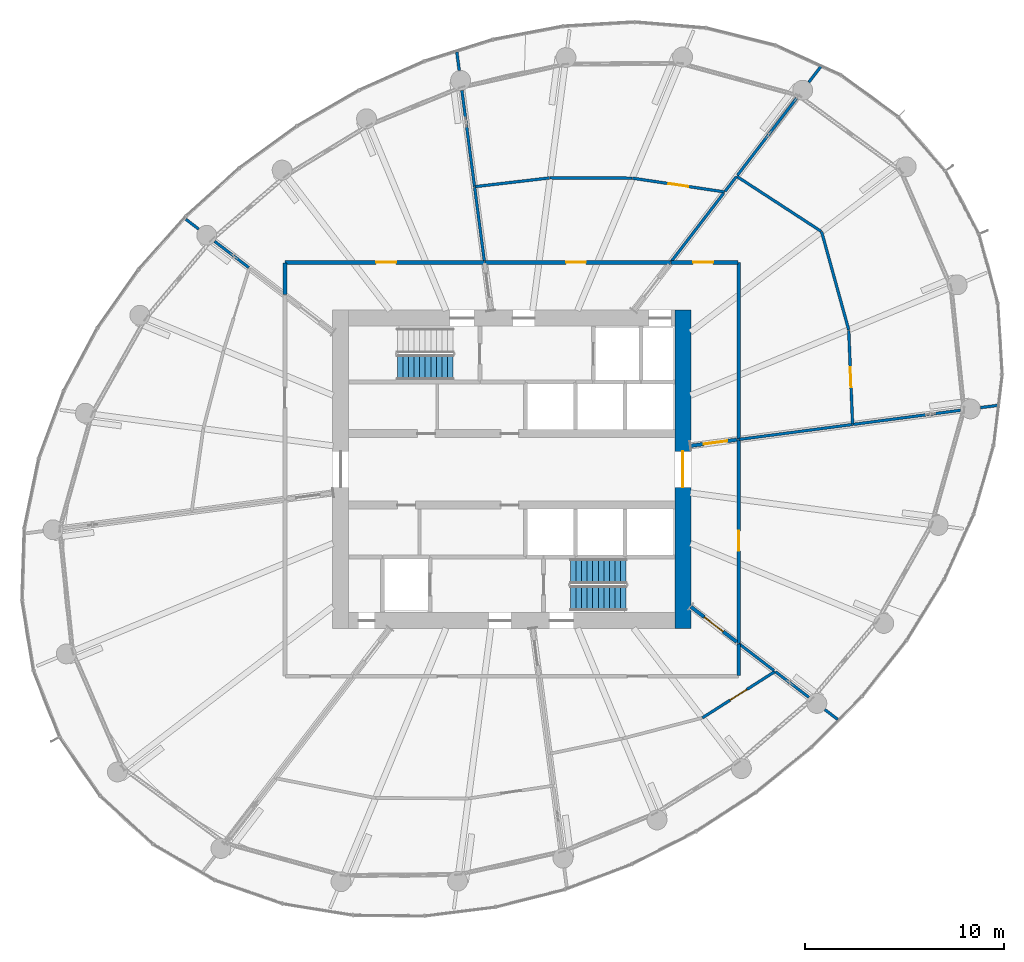
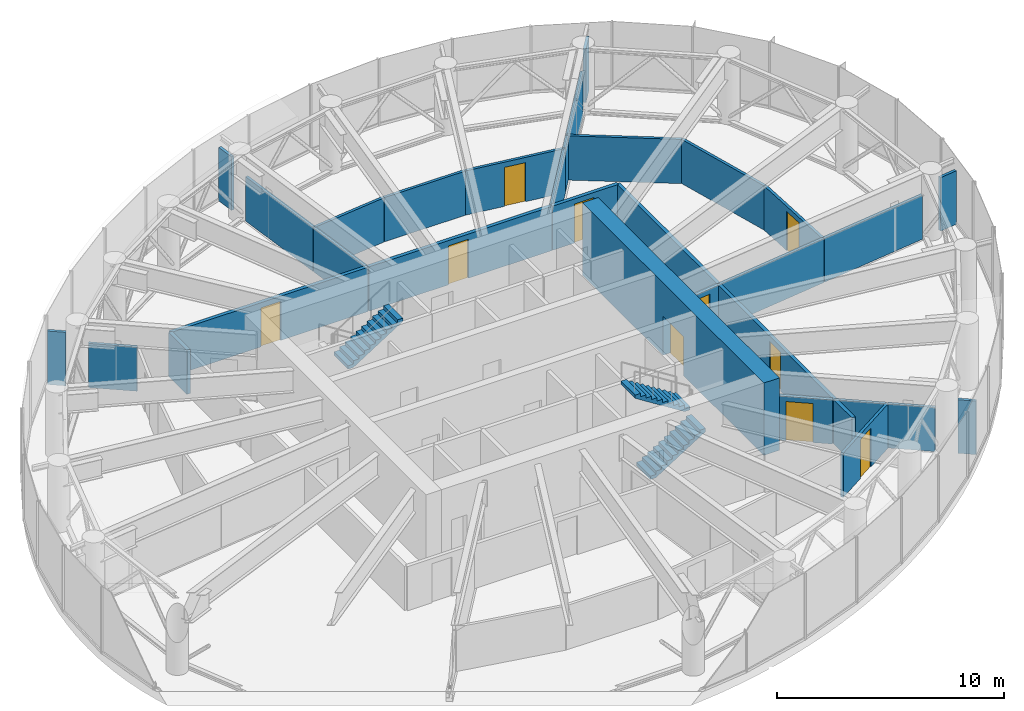
# One storey, part 15 of 25: 32 walls, 10 doors, 3 stair flights, 10 openings, 2 elements without a shape of their own.
"""IFC4 building model written with IfcOpenShell, lengths in metres."""

from ifc_helpers import new_model, si_unit, direction, frame, frame_2d, origin, place, context, subcontext, project, spatial, line, indexed_curve, rectangle, outline, extrude, source, transform, mapped, material, layer, layer_set, type_object, element, fill, aggregate, save


model = new_model("IFC4")

# Units and contexts
model_context = context("Model", 3, precision=1e-05, world=origin(), true_north=direction((0.0, 1.0)))
body_context = subcontext(model_context, "Body", "Model", "MODEL_VIEW")
ifc_project = project(units=[si_unit("LENGTHUNIT", "METRE"), si_unit("AREAUNIT", "SQUARE_METRE"), si_unit("VOLUMEUNIT", "CUBIC_METRE"), si_unit("PLANEANGLEUNIT", "RADIAN"), si_unit("MASSUNIT", "GRAM", prefix="KILO")], contexts=[model_context])

# Site, building, storey
site_placement = place(None, origin())
site = spatial("IfcSite", under=ifc_project, at=site_placement, CompositionType="ELEMENT")
building_placement = place(site_placement, origin())
building = spatial("IfcBuilding", under=site, at=building_placement, Name="Spindrift Exchange Tower", CompositionType="ELEMENT")
storey_placement = place(building_placement, frame((0.0, 0.0, 179.89990234375)))
storey = spatial("IfcBuildingStorey", under=building, at=storey_placement, Name="L43", CompositionType="ELEMENT", Elevation=179.89990234375)

# Wall, opening, door
ifc_material_1 = material(Name="Concrete 65 MPa", Category="concrete")
ifc_layer_1 = layer(ifc_material_1, 0.800048828125)
ifc_layer_set_1 = layer_set([ifc_layer_1], Name="RC Core Wall 800 Concrete 65 MPa")
wall_type_1 = type_object("IfcWallType", Name="RC Core Wall 800 Concrete 65 MPa", PredefinedType="SHEAR", material=ifc_layer_set_1)
wall_1_placement = place(storey_placement, frame((60.60009765625, 40.0, 0.0), z_axis=(0.0, 0.0, 1.0), x_axis=(0.0, 1.0, 0.0)))
wall_1 = element("IfcWall", 1, at=wall_1_placement, inside=storey, type_object=wall_type_1, Name="Core wall E L43", PredefinedType="SHEAR", context=body_context, shape_type="SweptSolid", body=[
    extrude(rectangle(XDim=16.0, YDim=0.800048828125, at=frame_2d((8.0, 0.0))), origin(), (0.0, 0.0, 1.0), 3.900146484375),
])
opening_1_placement = place(wall_1_placement, frame((7.10009765625, 0.0, 0.0)))
opening_1 = element("IfcOpeningElement", 2, at=opening_1_placement, cuts=wall_1, Name="Opening L43-D2", PredefinedType="OPENING", context=body_context, shape_type="SweptSolid", body=[
    extrude(rectangle(XDim=1.800048828125, YDim=2.10009765625, at=frame_2d((0.89990234375, 1.050048828125))), frame((0.0, 0.409912109375, 0.0), z_axis=(0.0, -1.0, 0.0), x_axis=(1.0, 0.0, 0.0)), (0.0, 0.0, 1.0), 0.820068359375),
])
ifc_material_2 = material(Name="Timber-core fire door", Category="wood")
door_type_1 = type_object("IfcDoorType", Name="DR-LOBBY-1800", OperationType="NOTDEFINED", PredefinedType="DOOR", material=ifc_material_2)
shared_shape_1 = source(origin(), body_context, "Body", "SweptSolid", [
    extrude(rectangle(XDim=1.800048828125, YDim=2.10009765625, at=frame_2d((0.89990234375, 1.050048828125))), frame((0.0, 0.02490234375, 0.0), z_axis=(0.0, -1.0, 0.0), x_axis=(1.0, 0.0, 0.0)), (0.0, 0.0, 1.0), 0.050048828125),
])
door_1_placement = place(opening_1_placement, origin())
door_1 = element("IfcDoor", 3, at=door_1_placement, inside=storey, type_object=door_type_1, Name="L43 Lobby door 2", OperationType="SINGLE_SWING_RIGHT", OverallHeight=2.10009765625, OverallWidth=1.800048828125, PredefinedType="DOOR", context=body_context, shape_type="MappedRepresentation", body=[
    mapped(shared_shape_1, transform((0.0, 0.0, 0.0), scale=1.0)),
])
fill(opening_1, door_1)

ifc_material_3 = material(Name="Fire-rated plasterboard partition", Category="gypsum")
ifc_layer_2 = layer(ifc_material_3, 0.179931640625)
ifc_layer_set_2 = layer_set([ifc_layer_2], Name="W-CORR-180-SOFFIT")
wall_type_2 = type_object("IfcWallType", Name="W-CORR-180-SOFFIT", PredefinedType="PARTITIONING", material=ifc_layer_set_2)
wall_2_placement = place(storey_placement, frame((63.31005859375, 39.321533203125, 0.0), z_axis=(0.0, 0.0, 1.0), x_axis=(-0.793371480341, 0.608737787706, 0.0)))
wall_2 = element("IfcWall", 4, at=wall_2_placement, inside=storey, type_object=wall_type_2, Name="L43 Partition wall 39", PredefinedType="PARTITIONING", context=body_context, shape_type="SweptSolid", body=[
    extrude(rectangle(XDim=2.91162109375, YDim=0.179931640625, at=frame_2d((1.455810546875, 0.0))), origin(), (0.0, 0.0, 1.0), 2.380126953125),
])
opening_2_placement = place(wall_2_placement, frame((0.86181640625, 0.0, 0.0)))
opening_2 = element("IfcOpeningElement", 5, at=opening_2_placement, cuts=wall_2, Name="Opening L43-D32", PredefinedType="OPENING", context=body_context, shape_type="SweptSolid", body=[
    extrude(rectangle(XDim=1.199951171875, YDim=2.10009765625, at=frame_2d((0.60009765625, 1.050048828125))), frame((0.0, 0.099853515625, 0.0), z_axis=(0.0, -1.0, 0.0), x_axis=(1.0, 0.0, 0.0)), (0.0, 0.0, 1.0), 0.199951171875),
])
ifc_material_4 = material(Name="Steel fire door", Category="steel")
door_type_2 = type_object("IfcDoorType", Name="DR-PLANT-1200", OperationType="NOTDEFINED", PredefinedType="DOOR", material=ifc_material_4)
shared_shape_2 = source(origin(), body_context, "Body", "SweptSolid", [
    extrude(rectangle(XDim=1.199951171875, YDim=2.10009765625, at=frame_2d((0.60009765625, 1.050048828125))), frame((0.0, 0.02490234375, 0.0), z_axis=(0.0, -1.0, 0.0), x_axis=(1.0, 0.0, 0.0)), (0.0, 0.0, 1.0), 0.050048828125),
])
door_2_placement = place(opening_2_placement, origin())
door_2 = element("IfcDoor", 6, at=door_2_placement, inside=storey, type_object=door_type_2, Name="L43 Plant room door 32", OperationType="SINGLE_SWING_LEFT", OverallHeight=2.10009765625, OverallWidth=1.199951171875, PredefinedType="DOOR", context=body_context, shape_type="MappedRepresentation", body=[
    mapped(shared_shape_2, transform((0.0, 0.0, 0.0), scale=1.0)),
])
fill(opening_2, door_2)

wall_3_placement = place(storey_placement, frame((63.31005859375, 49.489013671875, 0.0), z_axis=(0.0, 0.0, 1.0), x_axis=(-0.991440737811, -0.130557509967, 0.0)))
wall_3 = element("IfcWall", 7, at=wall_3_placement, inside=storey, type_object=wall_type_2, Name="L43 Partition wall 44", PredefinedType="PARTITIONING", context=body_context, shape_type="SweptSolid", body=[
    extrude(rectangle(XDim=2.330078125, YDim=0.179931640625, at=frame_2d((1.1650390625, 0.0))), origin(), (0.0, 0.0, 1.0), 2.380126953125),
])
opening_3_placement = place(wall_3_placement, frame((0.47998046875, 0.0, 0.0)))
opening_3 = element("IfcOpeningElement", 8, at=opening_3_placement, cuts=wall_3, Name="Opening L43-D33", PredefinedType="OPENING", context=body_context, shape_type="SweptSolid", body=[
    extrude(rectangle(XDim=1.199951171875, YDim=2.10009765625, at=frame_2d((0.60009765625, 1.050048828125))), frame((0.0, 0.099853515625, 0.0), z_axis=(0.0, -1.0, 0.0), x_axis=(1.0, 0.0, 0.0)), (0.0, 0.0, 1.0), 0.199951171875),
])
door_3_placement = place(opening_3_placement, origin())
door_3 = element("IfcDoor", 9, at=door_3_placement, inside=storey, type_object=door_type_2, Name="L43 Plant room door 33", OperationType="SINGLE_SWING_RIGHT", OverallHeight=2.10009765625, OverallWidth=1.199951171875, PredefinedType="DOOR", context=body_context, shape_type="MappedRepresentation", body=[
    mapped(shared_shape_2, transform((0.0, 0.0, 0.0), scale=1.0)),
])
fill(opening_3, door_3)

# Walls
ifc_layer_3 = layer(ifc_material_3, 0.139892578125)
ifc_layer_set_3 = layer_set([ifc_layer_3], Name="W-PLANT-140")
wall_type_3 = type_object("IfcWallType", Name="W-PLANT-140", PredefinedType="PARTITIONING", material=ifc_layer_set_3)
wall_4_placement = place(storey_placement, frame((66.931884765625, 67.459716796875, 0.0), z_axis=(0.0, 0.0, 1.0), x_axis=(0.608854774338, 0.793281705175, 0.0)))
element("IfcWall", 10, at=wall_4_placement, inside=storey, type_object=wall_type_3, Name="L43 Partition wall 83", PredefinedType="PARTITIONING", context=body_context, shape_type="SweptSolid", body=[
    extrude(rectangle(XDim=0.992919921875, YDim=0.139892578125, at=frame_2d((0.49658203125, 0.0))), origin(), (0.0, 0.0, 1.0), 2.880126953125),
])
wall_5_placement = place(storey_placement, frame((49.360107421875, 68.051513671875, 0.0), z_axis=(0.0, 0.0, 1.0), x_axis=(-0.130488267119, 0.99144985357, 0.0)))
element("IfcWall", 11, at=wall_5_placement, inside=storey, type_object=wall_type_3, Name="L43 Partition wall 85", PredefinedType="PARTITIONING", context=body_context, shape_type="SweptSolid", body=[
    extrude(rectangle(XDim=0.935546875, YDim=0.139892578125, at=frame_2d((0.4677734375, 0.0))), origin(), (0.0, 0.0, 1.0), 2.880126953125),
])
wall_6_placement = place(storey_placement, frame((75.56201171875, 51.10205078125, 0.0), z_axis=(0.0, 0.0, 1.0), x_axis=(0.991459985339, 0.130411262827, 0.0)))
element("IfcWall", 12, at=wall_6_placement, inside=storey, type_object=wall_type_3, Name="L43 Partition wall 86", PredefinedType="PARTITIONING", context=body_context, shape_type="SweptSolid", body=[
    extrude(rectangle(XDim=0.876220703125, YDim=0.139892578125, at=frame_2d((0.43798828125, 0.0))), origin(), (0.0, 0.0, 1.0), 2.880126953125),
])
for number, where, z_axis, x_axis, name in (
    (13, (67.736572265625, 35.9248046875, 0.0), (0.0, 0.0, 1.0), (0.79344724315, -0.608639032873, 0.0), "L43 Partition wall 88"),
    (14, (36.263427734375, 60.0751953125, 0.0), (0.0, 0.0, 1.0), (-0.79344724315, 0.608639032873, 0.0), "L43 Partition wall 89"),
):
    element("IfcWall", number, at=place(storey_placement, frame(where, z_axis=z_axis, x_axis=x_axis)), inside=storey, type_object=wall_type_3, Name=name, PredefinedType="PARTITIONING", context=body_context, shape_type="SweptSolid", body=[
        extrude(rectangle(XDim=0.815185546875, YDim=0.139892578125, at=frame_2d((0.40771484375, 0.0))), origin(), (0.0, 0.0, 1.0), 2.880126953125),
    ])
ifc_layer_4 = layer(ifc_material_3, 0.139892578125)
ifc_layer_set_4 = layer_set([ifc_layer_4], Name="W-PLANT-140-SOFFIT")
wall_type_4 = type_object("IfcWallType", Name="W-PLANT-140-SOFFIT", PredefinedType="PARTITIONING", material=ifc_layer_set_4)
wall_7_placement = place(storey_placement, frame((63.4296875, 49.5048828125, 0.0), z_axis=(0.0, 0.0, 1.0), x_axis=(0.991449239368, 0.130492933744, 0.0)))
element("IfcWall", 15, at=wall_7_placement, inside=storey, type_object=wall_type_4, Name="L43 Partition wall 49", PredefinedType="PARTITIONING", context=body_context, shape_type="SweptSolid", body=[
    extrude(rectangle(XDim=5.7529296875, YDim=0.139892578125, at=frame_2d((2.87646484375, 0.0))), origin(), (0.0, 0.0, 1.0), 2.380126953125),
])
wall_8_placement = place(storey_placement, frame((69.1630859375, 50.259521484375, 0.0), z_axis=(0.0, 0.0, 1.0), x_axis=(0.99144696925, 0.130510180315, 0.0)))
element("IfcWall", 16, at=wall_8_placement, inside=storey, type_object=wall_type_4, Name="L43 Partition wall 50", PredefinedType="PARTITIONING", context=body_context, shape_type="SweptSolid", body=[
    extrude(rectangle(XDim=5.445556640625, YDim=0.139892578125, at=frame_2d((2.72265625, 0.0))), origin(), (0.0, 0.0, 1.0), 2.380126953125),
])
wall_9_placement = place(storey_placement, frame((68.937255859375, 55.015625, 0.0), z_axis=(0.0, 0.0, 1.0), x_axis=(-0.266340043195, 0.963879132148, 0.0)))
element("IfcWall", 17, at=wall_9_placement, inside=storey, type_object=wall_type_4, Name="L43 Partition wall 52", PredefinedType="PARTITIONING", context=body_context, shape_type="SweptSolid", body=[
    extrude(rectangle(XDim=5.119384765625, YDim=0.139892578125, at=frame_2d((2.5595703125, 0.0))), origin(), (0.0, 0.0, 1.0), 2.380126953125),
])
wall_10_placement = place(storey_placement, frame((67.548583984375, 59.966552734375, 0.0), z_axis=(0.0, 0.0, 1.0), x_axis=(-0.837722756829, 0.546095763297, 0.0)))
element("IfcWall", 18, at=wall_10_placement, inside=storey, type_object=wall_type_4, Name="L43 Partition wall 53", PredefinedType="PARTITIONING", context=body_context, shape_type="SweptSolid", body=[
    extrude(rectangle(XDim=5.065673828125, YDim=0.139892578125, at=frame_2d((2.53271484375, 0.0))), origin(), (0.0, 0.0, 1.0), 2.380126953125),
])
wall_11_placement = place(storey_placement, frame((63.34765625, 62.78857421875, 0.0), z_axis=(0.0, 0.0, 1.0), x_axis=(0.608786560107, 0.793334055889, 0.0)))
element("IfcWall", 19, at=wall_11_placement, inside=storey, type_object=wall_type_4, Name="L43 Partition wall 54", PredefinedType="PARTITIONING", context=body_context, shape_type="SweptSolid", body=[
    extrude(rectangle(XDim=4.87890625, YDim=0.139892578125, at=frame_2d((2.439453125, 0.0))), origin(), (0.0, 0.0, 1.0), 2.380126953125),
])
wall_12_placement = place(storey_placement, frame((50.12939453125, 62.20849609375, 0.0), z_axis=(0.0, 0.0, 1.0), x_axis=(-0.13050364404, 0.991447829637, 0.0)))
element("IfcWall", 20, at=wall_12_placement, inside=storey, type_object=wall_type_4, Name="L43 Partition wall 55", PredefinedType="PARTITIONING", context=body_context, shape_type="SweptSolid", body=[
    extrude(rectangle(XDim=4.884521484375, YDim=0.139892578125, at=frame_2d((2.4423828125, 0.0))), origin(), (0.0, 0.0, 1.0), 2.380126953125),
])

# Wall, opening, door
wall_13_placement = place(storey_placement, frame((68.9384765625, 54.985595703125, 0.0), z_axis=(0.0, 0.0, 1.0), x_axis=(0.041209574391, -0.999150524685, 0.0)))
wall_13 = element("IfcWall", 21, at=wall_13_placement, inside=storey, type_object=wall_type_4, Name="L43 Partition wall 56", PredefinedType="PARTITIONING", context=body_context, shape_type="SweptSolid", body=[
    extrude(rectangle(XDim=4.703857421875, YDim=0.139892578125, at=frame_2d((2.35205078125, 0.0))), origin(), (0.0, 0.0, 1.0), 2.380126953125),
])
opening_4_placement = place(wall_13_placement, frame((1.85400390625, 0.0, 0.0)))
opening_4 = element("IfcOpeningElement", 22, at=opening_4_placement, cuts=wall_13, Name="Opening L43-D14", PredefinedType="OPENING", context=body_context, shape_type="SweptSolid", body=[
    extrude(rectangle(XDim=1.0, YDim=2.10009765625, at=frame_2d((0.5, 1.050048828125))), frame((0.0, 0.079833984375, 0.0), z_axis=(0.0, -1.0, 0.0), x_axis=(1.0, 0.0, 0.0)), (0.0, 0.0, 1.0), 0.159912109375),
])
door_type_3 = type_object("IfcDoorType", Name="DR-ROOM-1000", OperationType="NOTDEFINED", PredefinedType="DOOR", material=ifc_material_2)
shared_shape_3 = source(origin(), body_context, "Body", "SweptSolid", [
    extrude(rectangle(XDim=1.0, YDim=2.10009765625, at=frame_2d((0.5, 1.050048828125))), frame((0.0, 0.02490234375, 0.0), z_axis=(0.0, -1.0, 0.0), x_axis=(1.0, 0.0, 0.0)), (0.0, 0.0, 1.0), 0.050048828125),
])
door_4_placement = place(opening_4_placement, origin())
door_4 = element("IfcDoor", 23, at=door_4_placement, inside=storey, type_object=door_type_3, Name="L43 Door 14", OperationType="SINGLE_SWING_LEFT", OverallHeight=2.10009765625, OverallWidth=1.0, PredefinedType="DOOR", context=body_context, shape_type="MappedRepresentation", body=[
    mapped(shared_shape_3, transform((0.0, 0.0, 0.0), scale=1.0)),
])
fill(opening_4, door_4)

wall_14_placement = place(storey_placement, frame((58.063232421875, 62.637939453125, 0.0), z_axis=(0.0, 0.0, 1.0), x_axis=(0.989020980415, -0.147775168075, 0.0)))
wall_14 = element("IfcWall", 24, at=wall_14_placement, inside=storey, type_object=wall_type_4, Name="L43 Partition wall 58", PredefinedType="PARTITIONING", context=body_context, shape_type="SweptSolid", body=[
    extrude(rectangle(XDim=4.688720703125, YDim=0.139892578125, at=frame_2d((2.34423828125, 0.0))), origin(), (0.0, 0.0, 1.0), 2.380126953125),
])
opening_5_placement = place(wall_14_placement, frame((1.838623046875, 0.0, 0.0)))
opening_5 = element("IfcOpeningElement", 25, at=opening_5_placement, cuts=wall_14, Name="Opening L43-D16", PredefinedType="OPENING", context=body_context, shape_type="SweptSolid", body=[
    extrude(rectangle(XDim=1.0, YDim=2.10009765625, at=frame_2d((0.5, 1.050048828125))), frame((0.0, 0.079833984375, 0.0), z_axis=(0.0, -1.0, 0.0), x_axis=(1.0, 0.0, 0.0)), (0.0, 0.0, 1.0), 0.159912109375),
])
door_5_placement = place(opening_5_placement, origin())
door_5 = element("IfcDoor", 26, at=door_5_placement, inside=storey, type_object=door_type_3, Name="L43 Door 16", OperationType="SINGLE_SWING_LEFT", OverallHeight=2.10009765625, OverallWidth=1.0, PredefinedType="DOOR", context=body_context, shape_type="MappedRepresentation", body=[
    mapped(shared_shape_3, transform((0.0, 0.0, 0.0), scale=1.0)),
])
fill(opening_5, door_5)

# Wall
wall_15_placement = place(storey_placement, frame((60.00244140625, 58.428955078125, 0.0), z_axis=(0.0, 0.0, 1.0), x_axis=(0.608742422759, 0.793367923938, 0.0)))
element("IfcWall", 27, at=wall_15_placement, inside=storey, type_object=wall_type_4, Name="L43 Partition wall 60", PredefinedType="PARTITIONING", context=body_context, shape_type="SweptSolid", body=[
    extrude(rectangle(XDim=4.351806640625, YDim=0.139892578125, at=frame_2d((2.17578125, 0.0))), origin(), (0.0, 0.0, 1.0), 2.380126953125),
])

# Wall, opening, door
wall_16_placement = place(storey_placement, frame((65.23779296875, 37.84228515625, 0.0), z_axis=(0.0, 0.0, 1.0), x_axis=(-0.842765106191, -0.538281502364, 0.0)))
wall_16 = element("IfcWall", 28, at=wall_16_placement, inside=storey, type_object=wall_type_4, Name="L43 Partition wall 61", PredefinedType="PARTITIONING", context=body_context, shape_type="SweptSolid", body=[
    extrude(rectangle(XDim=4.334716796875, YDim=0.139892578125, at=frame_2d((2.16748046875, 0.0))), origin(), (0.0, 0.0, 1.0), 2.380126953125),
])
opening_6_placement = place(wall_16_placement, frame((1.684814453125, 0.0, 0.0)))
opening_6 = element("IfcOpeningElement", 29, at=opening_6_placement, cuts=wall_16, Name="Opening L43-D24", PredefinedType="OPENING", context=body_context, shape_type="SweptSolid", body=[
    extrude(rectangle(XDim=1.0, YDim=2.10009765625, at=frame_2d((0.5, 1.050048828125))), frame((0.0, 0.079833984375, 0.0), z_axis=(0.0, -1.0, 0.0), x_axis=(1.0, 0.0, 0.0)), (0.0, 0.0, 1.0), 0.159912109375),
])
door_6_placement = place(opening_6_placement, origin())
door_6 = element("IfcDoor", 30, at=door_6_placement, inside=storey, type_object=door_type_3, Name="L43 Door 24", OperationType="SINGLE_SWING_LEFT", OverallHeight=2.10009765625, OverallWidth=1.0, PredefinedType="DOOR", context=body_context, shape_type="MappedRepresentation", body=[
    mapped(shared_shape_3, transform((0.0, 0.0, 0.0), scale=1.0)),
])
fill(opening_6, door_6)

# Walls
wall_17_placement = place(storey_placement, frame((58.033203125, 62.637939453125, 0.0), z_axis=(0.0, 0.0, 1.0), x_axis=(-0.999992752474, 0.003807229992, 0.0)))
element("IfcWall", 31, at=wall_17_placement, inside=storey, type_object=wall_type_4, Name="L43 Partition wall 65", PredefinedType="PARTITIONING", context=body_context, shape_type="SweptSolid", body=[
    extrude(rectangle(XDim=4.10400390625, YDim=0.139892578125, at=frame_2d((2.052001953125, 0.0))), origin(), (0.0, 0.0, 1.0), 2.380126953125),
])
wall_18_placement = place(storey_placement, frame((50.618896484375, 58.489990234375, 0.0), z_axis=(0.0, 0.0, 1.0), x_axis=(-0.130517317695, 0.991446029687, 0.0)))
element("IfcWall", 32, at=wall_18_placement, inside=storey, type_object=wall_type_4, Name="L43 Partition wall 70", PredefinedType="PARTITIONING", context=body_context, shape_type="SweptSolid", body=[
    extrude(rectangle(XDim=3.720458984375, YDim=0.139892578125, at=frame_2d((1.8603515625, 0.0))), origin(), (0.0, 0.0, 1.0), 2.380126953125),
])
wall_19_placement = place(storey_placement, frame((53.8994140625, 62.64990234375, 0.0), z_axis=(0.0, 0.0, 1.0), x_axis=(-0.993213300442, -0.116307092754, 0.0)))
element("IfcWall", 33, at=wall_19_placement, inside=storey, type_object=wall_type_4, Name="L43 Partition wall 71", PredefinedType="PARTITIONING", context=body_context, shape_type="SweptSolid", body=[
    extrude(rectangle(XDim=3.765869140625, YDim=0.139892578125, at=frame_2d((1.8828125, 0.0))), origin(), (0.0, 0.0, 1.0), 2.380126953125),
])
wall_20_placement = place(storey_placement, frame((63.428955078125, 39.230224609375, 0.0), z_axis=(0.0, 0.0, 1.0), x_axis=(0.793376463814, -0.608731292662, 0.0)))
element("IfcWall", 34, at=wall_20_placement, inside=storey, type_object=wall_type_4, Name="L43 Partition wall 76", PredefinedType="PARTITIONING", context=body_context, shape_type="SweptSolid", body=[
    extrude(rectangle(XDim=2.20556640625, YDim=0.139892578125, at=frame_2d((1.102783203125, 0.0))), origin(), (0.0, 0.0, 1.0), 2.380126953125),
])
wall_21_placement = place(storey_placement, frame((38.7822265625, 58.142333984375, 0.0), z_axis=(0.0, 0.0, 1.0), x_axis=(-0.793323252824, 0.608800637753, 0.0)))
element("IfcWall", 35, at=wall_21_placement, inside=storey, type_object=wall_type_4, Name="L43 Partition wall 78", PredefinedType="PARTITIONING", context=body_context, shape_type="SweptSolid", body=[
    extrude(rectangle(XDim=2.166015625, YDim=0.139892578125, at=frame_2d((1.0830078125, 0.0))), origin(), (0.0, 0.0, 1.0), 2.380126953125),
])
wall_22_placement = place(storey_placement, frame((65.26171875, 37.823974609375, 0.0), z_axis=(0.0, 0.0, 1.0), x_axis=(0.793315822565, -0.608810319942, 0.0)))
element("IfcWall", 36, at=wall_22_placement, inside=storey, type_object=wall_type_4, Name="L43 Partition wall 79", PredefinedType="PARTITIONING", context=body_context, shape_type="SweptSolid", body=[
    extrude(rectangle(XDim=2.110595703125, YDim=0.139892578125, at=frame_2d((1.05517578125, 0.0))), origin(), (0.0, 0.0, 1.0), 2.380126953125),
])
wall_23_placement = place(storey_placement, frame((62.71875, 61.96875, 0.0), z_axis=(0.0, 0.0, 1.0), x_axis=(0.608673237445, 0.793421004271, 0.0)))
element("IfcWall", 37, at=wall_23_placement, inside=storey, type_object=wall_type_4, Name="L43 Partition wall 81", PredefinedType="PARTITIONING", context=body_context, shape_type="SweptSolid", body=[
    extrude(rectangle(XDim=0.932861328125, YDim=0.139892578125, at=frame_2d((0.46630859375, 0.0))), origin(), (0.0, 0.0, 1.0), 2.380126953125),
])

# Wall, opening, door
ifc_layer_5 = layer(ifc_material_3, 0.179931640625)
ifc_layer_set_5 = layer_set([ifc_layer_5], Name="W-PLANT-180-SOFFIT")
wall_type_5 = type_object("IfcWallType", Name="W-PLANT-180-SOFFIT", PredefinedType="PARTITIONING", material=ifc_layer_set_5)
wall_24_placement = place(storey_placement, frame((63.39990234375, 49.500732421875, 0.0), z_axis=(0.0, 0.0, 1.0), x_axis=(0.0, -1.0, 0.0)))
wall_24 = element("IfcWall", 38, at=wall_24_placement, inside=storey, type_object=wall_type_5, Name="L43 Partition wall 28", PredefinedType="PARTITIONING", context=body_context, shape_type="SweptSolid", body=[
    extrude(rectangle(XDim=10.248291015625, YDim=0.179931640625, at=frame_2d((5.1240234375, 0.0))), origin(), (0.0, 0.0, 1.0), 2.380126953125),
])
opening_7_placement = place(wall_24_placement, frame((4.598388671875, 0.0, 0.0)))
opening_7 = element("IfcOpeningElement", 39, at=opening_7_placement, cuts=wall_24, Name="Opening L43-D25", PredefinedType="OPENING", context=body_context, shape_type="SweptSolid", body=[
    extrude(rectangle(XDim=1.0, YDim=2.10009765625, at=frame_2d((0.5, 1.050048828125))), frame((0.0, 0.099853515625, 0.0), z_axis=(0.0, -1.0, 0.0), x_axis=(1.0, 0.0, 0.0)), (0.0, 0.0, 1.0), 0.199951171875),
])
door_7_placement = place(opening_7_placement, origin())
door_7 = element("IfcDoor", 40, at=door_7_placement, inside=storey, type_object=door_type_3, Name="L43 Door 25", OperationType="SINGLE_SWING_RIGHT", OverallHeight=2.10009765625, OverallWidth=1.0, PredefinedType="DOOR", context=body_context, shape_type="MappedRepresentation", body=[
    mapped(shared_shape_3, transform((0.0, 0.0, 0.0), scale=1.0)),
])
fill(opening_7, door_7)

wall_25_placement = place(storey_placement, frame((40.60009765625, 58.39990234375, 0.0), z_axis=(0.0, 0.0, 1.0), x_axis=(1.0, 0.0, 0.0)))
wall_25 = element("IfcWall", 41, at=wall_25_placement, inside=storey, type_object=wall_type_5, Name="L43 Partition wall 29", PredefinedType="PARTITIONING", context=body_context, shape_type="SweptSolid", body=[
    extrude(rectangle(XDim=10.03076171875, YDim=0.179931640625, at=frame_2d((5.015380859375, 0.0))), origin(), (0.0, 0.0, 1.0), 2.380126953125),
])
opening_8_placement = place(wall_25_placement, frame((4.580810546875, 0.0, 0.0)))
opening_8 = element("IfcOpeningElement", 42, at=opening_8_placement, cuts=wall_25, Name="Opening L43-D17", PredefinedType="OPENING", context=body_context, shape_type="SweptSolid", body=[
    extrude(rectangle(XDim=1.0, YDim=2.10009765625, at=frame_2d((0.5, 1.050048828125))), frame((0.0, 0.099853515625, 0.0), z_axis=(0.0, -1.0, 0.0), x_axis=(1.0, 0.0, 0.0)), (0.0, 0.0, 1.0), 0.199951171875),
])
door_8_placement = place(opening_8_placement, origin())
door_8 = element("IfcDoor", 43, at=door_8_placement, inside=storey, type_object=door_type_3, Name="L43 Door 17", OperationType="SINGLE_SWING_RIGHT", OverallHeight=2.10009765625, OverallWidth=1.0, PredefinedType="DOOR", context=body_context, shape_type="MappedRepresentation", body=[
    mapped(shared_shape_3, transform((0.0, 0.0, 0.0), scale=1.0)),
])
fill(opening_8, door_8)

wall_26_placement = place(storey_placement, frame((50.660888671875, 58.39990234375, 0.0), z_axis=(0.0, 0.0, 1.0), x_axis=(1.0, 0.0, 0.0)))
wall_26 = element("IfcWall", 44, at=wall_26_placement, inside=storey, type_object=wall_type_5, Name="L43 Partition wall 32", PredefinedType="PARTITIONING", context=body_context, shape_type="SweptSolid", body=[
    extrude(rectangle(XDim=9.3193359375, YDim=0.179931640625, at=frame_2d((4.65966796875, 0.0))), origin(), (0.0, 0.0, 1.0), 2.380126953125),
])
opening_9_placement = place(wall_26_placement, frame((4.0693359375, 0.0, 0.0)))
opening_9 = element("IfcOpeningElement", 45, at=opening_9_placement, cuts=wall_26, Name="Opening L43-D15", PredefinedType="OPENING", context=body_context, shape_type="SweptSolid", body=[
    extrude(rectangle(XDim=1.0, YDim=2.10009765625, at=frame_2d((0.5, 1.050048828125))), frame((0.0, 0.099853515625, 0.0), z_axis=(0.0, -1.0, 0.0), x_axis=(1.0, 0.0, 0.0)), (0.0, 0.0, 1.0), 0.199951171875),
])
door_9_placement = place(opening_9_placement, origin())
door_9 = element("IfcDoor", 46, at=door_9_placement, inside=storey, type_object=door_type_3, Name="L43 Door 15", OperationType="SINGLE_SWING_RIGHT", OverallHeight=2.10009765625, OverallWidth=1.0, PredefinedType="DOOR", context=body_context, shape_type="MappedRepresentation", body=[
    mapped(shared_shape_3, transform((0.0, 0.0, 0.0), scale=1.0)),
])
fill(opening_9, door_9)

# Wall
wall_27_placement = place(storey_placement, frame((63.39990234375, 49.53076171875, 0.0), z_axis=(0.0, 0.0, 1.0), x_axis=(0.0, 1.0, 0.0)))
element("IfcWall", 47, at=wall_27_placement, inside=storey, type_object=wall_type_5, Name="L43 Partition wall 34", PredefinedType="PARTITIONING", context=body_context, shape_type="SweptSolid", body=[
    extrude(rectangle(XDim=8.869140625, YDim=0.179931640625, at=frame_2d((4.4345703125, 0.0))), origin(), (0.0, 0.0, 1.0), 2.380126953125),
])

# Wall, opening, door
wall_28_placement = place(storey_placement, frame((60.01025390625, 58.39990234375, 0.0), z_axis=(0.0, 0.0, 1.0), x_axis=(1.0, 0.0, 0.0)))
wall_28 = element("IfcWall", 48, at=wall_28_placement, inside=storey, type_object=wall_type_5, Name="L43 Partition wall 35", PredefinedType="PARTITIONING", context=body_context, shape_type="SweptSolid", body=[
    extrude(rectangle(XDim=3.35986328125, YDim=0.179931640625, at=frame_2d((1.679931640625, 0.0))), origin(), (0.0, 0.0, 1.0), 2.380126953125),
])
opening_10_placement = place(wall_28_placement, frame((1.10986328125, 0.0, 0.0)))
opening_10 = element("IfcOpeningElement", 49, at=opening_10_placement, cuts=wall_28, Name="Opening L43-D13", PredefinedType="OPENING", context=body_context, shape_type="SweptSolid", body=[
    extrude(rectangle(XDim=1.0, YDim=2.10009765625, at=frame_2d((0.5, 1.050048828125))), frame((0.0, 0.099853515625, 0.0), z_axis=(0.0, -1.0, 0.0), x_axis=(1.0, 0.0, 0.0)), (0.0, 0.0, 1.0), 0.199951171875),
])
door_10_placement = place(opening_10_placement, origin())
door_10 = element("IfcDoor", 50, at=door_10_placement, inside=storey, type_object=door_type_3, Name="L43 Door 13", OperationType="SINGLE_SWING_RIGHT", OverallHeight=2.10009765625, OverallWidth=1.0, PredefinedType="DOOR", context=body_context, shape_type="MappedRepresentation", body=[
    mapped(shared_shape_3, transform((0.0, 0.0, 0.0), scale=1.0)),
])
fill(opening_10, door_10)

# Walls
for number, where, z_axis, x_axis, name in (
    (51, (40.60009765625, 58.3701171875, 0.0), (0.0, 0.0, 1.0), (0.0, -1.0, 0.0), "L43 Partition wall 45"),
    (52, (63.39990234375, 37.6298828125, 0.0), (0.0, 0.0, 1.0), (0.0, 1.0, 0.0), "L43 Partition wall 46"),
):
    element("IfcWall", number, at=place(storey_placement, frame(where, z_axis=z_axis, x_axis=x_axis)), inside=storey, type_object=wall_type_5, Name=name, PredefinedType="PARTITIONING", context=body_context, shape_type="SweptSolid", body=[
        extrude(rectangle(XDim=1.592529296875, YDim=0.179931640625, at=frame_2d((0.79638671875, 0.0))), origin(), (0.0, 0.0, 1.0), 2.380126953125),
    ])

# Stair, stair flight
ifc_material_5 = material(Name="Concrete 50 MPa", Category="concrete")
stair_type = type_object("IfcStairType", Name="ST-1250-R177", PredefinedType="HALF_TURN_STAIR", material=ifc_material_5)
stair_1_placement = place(storey_placement, origin())
stair_1 = element("IfcStair", 53, at=stair_1_placement, inside=storey, type_object=stair_type, Name="L43 Exit stair ST1", PredefinedType="HALF_TURN_STAIR")
stair_flight_type = type_object("IfcStairFlightType", Name="STF-1250-R177", PredefinedType="STRAIGHT", material=ifc_material_5)
stair_flight_1_placement = place(storey_placement, frame((46.25, 53.125, 1.9501953125), z_axis=(0.0, 0.0, 1.0), x_axis=(1.0, 0.0, 0.0)))
stair_flight_1 = element("IfcStairFlight", 54, at=stair_flight_1_placement, type_object=stair_flight_type, Name="ST1 flight 2", NumberOfRisers=11, NumberOfTreads=10, PredefinedType="STRAIGHT", RiserHeight=0.177272727, TreadLength=0.28, context=body_context, shape_type="SweptSolid", body=[
    extrude(outline(indexed_curve([(0.0, 0.0), (0.0, 0.177734375), (0.2802734375, 0.177734375), (0.2802734375, 0.3544921875), (0.5595703125, 0.3544921875), (0.5595703125, 0.5322265625), (0.83984375, 0.5322265625), (0.83984375, 0.708984375), (1.1201171875, 0.708984375), (1.1201171875, 0.88671875), (1.400390625, 0.88671875), (1.400390625, 1.0634765625), (1.6796875, 1.0634765625), (1.6796875, 1.2412109375), (1.9599609375, 1.2412109375), (1.9599609375, 1.41796875), (2.240234375, 1.41796875), (2.240234375, 1.595703125), (2.51953125, 1.595703125), (2.51953125, 1.7724609375), (2.7998046875, 1.7724609375), (2.7998046875, 1.9501953125), (2.7998046875, 1.595703125), (0.2802734375, 0.0)], segments=[line(1, 2, 3, 4, 5, 6, 7, 8, 9, 10, 11, 12, 13, 14, 15, 16, 17, 18, 19, 20, 21, 22, 23, 24, 1)], self_intersect=False)), frame((0.0, 0.625, 0.0), z_axis=(0.0, -1.0, 0.0), x_axis=(1.0, 0.0, 0.0)), (0.0, 0.0, 1.0), 1.25),
])
aggregate(stair_1, [stair_flight_1])

# Stair, stair flights
stair_2_placement = place(storey_placement, origin())
stair_2 = element("IfcStair", 55, at=stair_2_placement, inside=storey, type_object=stair_type, Name="L43 Exit stair ST2", PredefinedType="HALF_TURN_STAIR")
stair_flight_2_placement = place(storey_placement, frame((54.949951171875, 41.52490234375, 0.0), z_axis=(0.0, 0.0, 1.0), x_axis=(1.0, 0.0, 0.0)))
stair_flight_2 = element("IfcStairFlight", 56, at=stair_flight_2_placement, type_object=stair_flight_type, Name="ST2 flight 1", NumberOfRisers=11, NumberOfTreads=10, PredefinedType="STRAIGHT", RiserHeight=0.177272727, TreadLength=0.28, context=body_context, shape_type="SweptSolid", body=[
    extrude(outline(indexed_curve([(0.0, 0.0), (0.0, 0.177734375), (0.2802734375, 0.177734375), (0.2802734375, 0.3544921875), (0.5595703125, 0.3544921875), (0.5595703125, 0.5322265625), (0.83984375, 0.5322265625), (0.83984375, 0.708984375), (1.1201171875, 0.708984375), (1.1201171875, 0.88671875), (1.400390625, 0.88671875), (1.400390625, 1.0634765625), (1.6796875, 1.0634765625), (1.6796875, 1.2412109375), (1.9599609375, 1.2412109375), (1.9599609375, 1.41796875), (2.240234375, 1.41796875), (2.240234375, 1.595703125), (2.51953125, 1.595703125), (2.51953125, 1.7724609375), (2.7998046875, 1.7724609375), (2.7998046875, 1.9501953125), (2.7998046875, 1.595703125), (0.2802734375, 0.0)], segments=[line(1, 2, 3, 4, 5, 6, 7, 8, 9, 10, 11, 12, 13, 14, 15, 16, 17, 18, 19, 20, 21, 22, 23, 24, 1)], self_intersect=False)), frame((0.0, 0.625, 0.0), z_axis=(0.0, -1.0, 0.0), x_axis=(1.0, 0.0, 0.0)), (0.0, 0.0, 1.0), 1.25),
])
stair_flight_3_placement = place(storey_placement, frame((57.75, 42.875, 1.9501953125), z_axis=(0.0, 0.0, 1.0), x_axis=(-1.0, 0.0, 0.0)))
stair_flight_3 = element("IfcStairFlight", 57, at=stair_flight_3_placement, type_object=stair_flight_type, Name="ST2 flight 2", NumberOfRisers=11, NumberOfTreads=10, PredefinedType="STRAIGHT", RiserHeight=0.177272727, TreadLength=0.28, context=body_context, shape_type="SweptSolid", body=[
    extrude(outline(indexed_curve([(0.0, 0.0), (0.0, 0.177734375), (0.2802734375, 0.177734375), (0.2802734375, 0.3544921875), (0.5595703125, 0.3544921875), (0.5595703125, 0.5322265625), (0.83984375, 0.5322265625), (0.83984375, 0.708984375), (1.1201171875, 0.708984375), (1.1201171875, 0.88671875), (1.400390625, 0.88671875), (1.400390625, 1.0634765625), (1.6796875, 1.0634765625), (1.6796875, 1.2412109375), (1.9599609375, 1.2412109375), (1.9599609375, 1.41796875), (2.240234375, 1.41796875), (2.240234375, 1.595703125), (2.51953125, 1.595703125), (2.51953125, 1.7724609375), (2.7998046875, 1.7724609375), (2.7998046875, 1.9501953125), (2.7998046875, 1.595703125), (0.2802734375, 0.0)], segments=[line(1, 2, 3, 4, 5, 6, 7, 8, 9, 10, 11, 12, 13, 14, 15, 16, 17, 18, 19, 20, 21, 22, 23, 24, 1)], self_intersect=False)), frame((0.0, 0.625, 0.0), z_axis=(0.0, -1.0, 0.0), x_axis=(1.0, 0.0, 0.0)), (0.0, 0.0, 1.0), 1.25),
])
aggregate(stair_2, [stair_flight_2, stair_flight_3])

save(model, "model.ifc")
